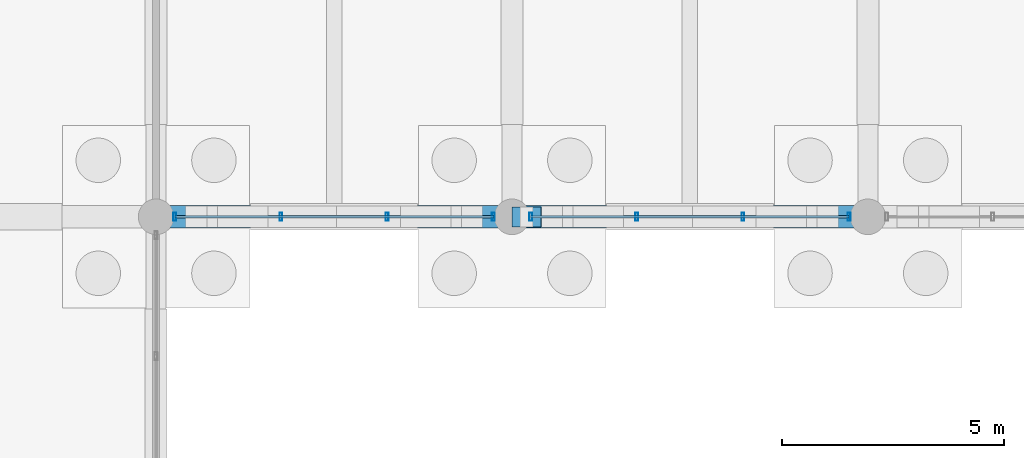
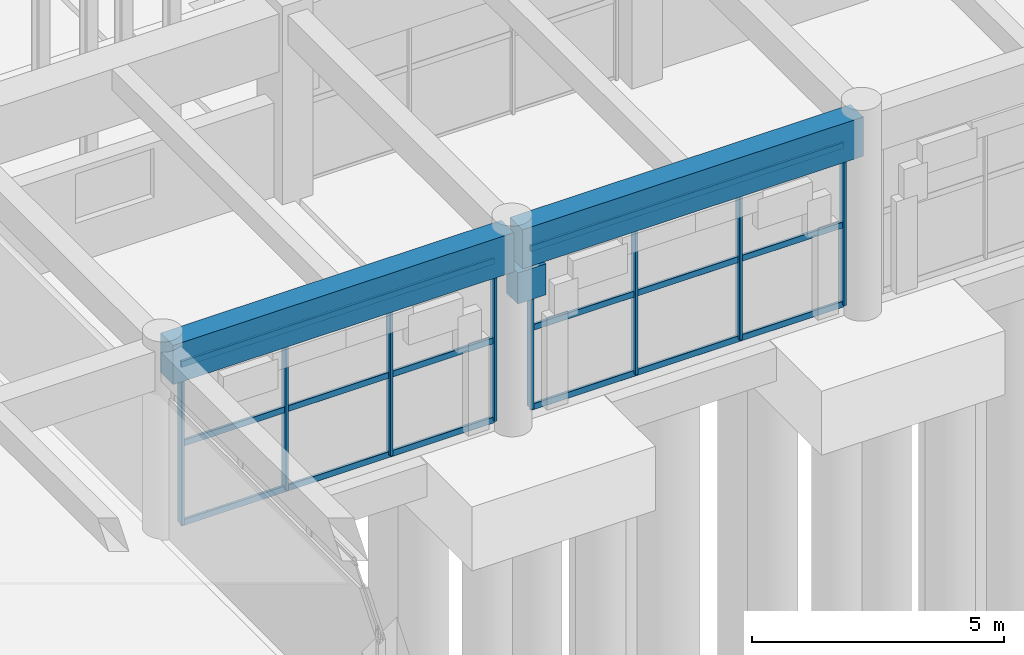
# One storey, part 74 of 147: 14 members, 3 beams, 2 elements without a shape of their own.
"""IFC4 building model written with IfcOpenShell, lengths in metres."""

from ifc_helpers import new_model, si_unit, direction, frame, origin, origin_2d, place, context, subcontext, project, spatial, rectangle, hollow_rectangle, extrude, material, material_profile, profile_set, type_object, element, aggregate, save


model = new_model("IFC4")

# Units and contexts
model_context = context("Model", 3, precision=1e-05, world=origin(), true_north=direction((0.0, 1.0)))
body_context = subcontext(model_context, "Body", "Model", "MODEL_VIEW")
ifc_project = project(units=[si_unit("LENGTHUNIT", "METRE"), si_unit("AREAUNIT", "SQUARE_METRE"), si_unit("VOLUMEUNIT", "CUBIC_METRE"), si_unit("PLANEANGLEUNIT", "RADIAN"), si_unit("MASSUNIT", "GRAM", prefix="KILO")], contexts=[model_context])

# Site, building, storey
site_placement = place(None, origin())
site = spatial("IfcSite", under=ifc_project, at=site_placement, CompositionType="ELEMENT")
building_placement = place(site_placement, origin())
building = spatial("IfcBuilding", under=site, at=building_placement, Name="Varnabhumi Central Station", CompositionType="ELEMENT")
storey_placement = place(building_placement, origin())
storey = spatial("IfcBuildingStorey", under=building, at=storey_placement, Name="L00", CompositionType="ELEMENT", Elevation=0.0)

# Beams
ifc_material_1 = material(Name="Concrete M40", Category="concrete")
ifc_material_profile_1 = material_profile(ifc_material_1, rectangle(XDim=0.449951171875, YDim=0.75, at=origin_2d()), Name="Concrete M40", Category="concrete")
ifc_profile_set_1 = profile_set([ifc_material_profile_1], Name="Concrete M40")
beam_type_1 = type_object("IfcBeamType", Name="BM-RC-450x750", PredefinedType="BEAM", material=ifc_profile_set_1)
beam_placement = place(storey_placement, frame((120.0, 27.0, 3.14501953125), z_axis=(1.0, 0.0, 0.0), x_axis=(0.0, 1.0, 0.0)))
element("IfcBeam", 1, at=beam_placement, inside=storey, type_object=beam_type_1, Name="Movement Joint 650mm Corbel Seat L00-D-16", PredefinedType="BEAM", context=body_context, shape_type="SweptSolid", body=[
    extrude(rectangle(XDim=0.449951171875, YDim=0.75, at=origin_2d()), origin(), (0.0, 0.0, 1.0), 0.64990234375),
])
ifc_material_profile_2 = material_profile(ifc_material_1, rectangle(XDim=0.5, YDim=0.949951171875, at=origin_2d()), Name="Concrete M40", Category="concrete")
ifc_profile_set_2 = profile_set([ifc_material_profile_2], Name="Concrete M40")
beam_type_2 = type_object("IfcBeamType", Name="BM-RC-500x950", PredefinedType="BEAM", material=ifc_profile_set_2)
for number, where, z_axis, x_axis, name in (
    (2, (112.10009765625, 27.0, 4.074951171875), (1.0, 0.0, 0.0), (0.0, 1.0, 0.0), "Beam L00-D:15-16"),
    (3, (120.10009765625, 27.0, 4.074951171875), (1.0, 0.0, 0.0), (0.0, 1.0, 0.0), "Beam L00-D:16-17"),
):
    element("IfcBeam", number, at=place(storey_placement, frame(where, z_axis=z_axis, x_axis=x_axis)), inside=storey, type_object=beam_type_2, Name=name, PredefinedType="BEAM", context=body_context, shape_type="SweptSolid", body=[
        extrude(rectangle(XDim=0.5, YDim=0.949951171875, at=origin_2d()), origin(), (0.0, 0.0, 1.0), 7.7998046875),
    ])

# Curtain wall, members
ifc_material_2 = material(Name="Anodised aluminium 6063-T6", Category="aluminium")
curtain_wall_type = type_object("IfcCurtainWallType", Name="CW-PATIO-LOGGIA-L0", PredefinedType="NOTDEFINED", material=ifc_material_2)
curtain_wall_1_placement = place(storey_placement, origin())
curtain_wall_1 = element("IfcCurtainWall", 4, at=curtain_wall_1_placement, inside=storey, type_object=curtain_wall_type, Name="Curtain Wall CW-SP0N1", PredefinedType="NOTDEFINED")
ifc_material_profile_3 = material_profile(ifc_material_2, hollow_rectangle(XDim=0.06494140625, YDim=0.179931640625, WallThickness=0.00390625, InnerFilletRadius=0.001953125, OuterFilletRadius=0.006103515625, at=origin_2d()), Name="Anodised aluminium 6063-T6", Category="aluminium")
ifc_profile_set_3 = profile_set([ifc_material_profile_3], Name="Anodised aluminium 6063-T6")
member_type_1 = type_object("IfcMemberType", Name="CW-MUL-180", PredefinedType="MULLION", material=ifc_profile_set_3)
member_1_placement = place(storey_placement, frame((112.419921875, 27.0, 0.0), z_axis=(0.0, 0.0, 1.0), x_axis=(1.0, 0.0, 0.0)))
member_1 = element("IfcMember", 5, at=member_1_placement, type_object=member_type_1, Name="Curtain Wall Mullion CW-SP0N1-M1", PredefinedType="MULLION", context=body_context, shape_type="SweptSolid", body=[
    extrude(hollow_rectangle(XDim=0.06494140625, YDim=0.179931640625, WallThickness=0.00390625, InnerFilletRadius=0.001953125, OuterFilletRadius=0.006103515625, at=origin_2d()), origin(), (0.0, 0.0, 1.0), 3.840087890625),
])
member_2_placement = place(storey_placement, frame((114.806640625, 27.0, 0.0), z_axis=(0.0, 0.0, 1.0), x_axis=(1.0, 0.0, 0.0)))
member_2 = element("IfcMember", 6, at=member_2_placement, type_object=member_type_1, Name="Curtain Wall Mullion CW-SP0N1-M2", PredefinedType="MULLION", context=body_context, shape_type="SweptSolid", body=[
    extrude(hollow_rectangle(XDim=0.06494140625, YDim=0.179931640625, WallThickness=0.00390625, InnerFilletRadius=0.001953125, OuterFilletRadius=0.006103515625, at=origin_2d()), origin(), (0.0, 0.0, 1.0), 3.840087890625),
])
member_3_placement = place(storey_placement, frame((117.193359375, 27.0, 0.0), z_axis=(0.0, 0.0, 1.0), x_axis=(1.0, 0.0, 0.0)))
member_3 = element("IfcMember", 7, at=member_3_placement, type_object=member_type_1, Name="Curtain Wall Mullion CW-SP0N1-M3", PredefinedType="MULLION", context=body_context, shape_type="SweptSolid", body=[
    extrude(hollow_rectangle(XDim=0.06494140625, YDim=0.179931640625, WallThickness=0.00390625, InnerFilletRadius=0.001953125, OuterFilletRadius=0.006103515625, at=origin_2d()), origin(), (0.0, 0.0, 1.0), 3.840087890625),
])
member_4_placement = place(storey_placement, frame((119.580078125, 27.0, 0.0), z_axis=(0.0, 0.0, 1.0), x_axis=(1.0, 0.0, 0.0)))
member_4 = element("IfcMember", 8, at=member_4_placement, type_object=member_type_1, Name="Curtain Wall Mullion CW-SP0N1-M4", PredefinedType="MULLION", context=body_context, shape_type="SweptSolid", body=[
    extrude(hollow_rectangle(XDim=0.06494140625, YDim=0.179931640625, WallThickness=0.00390625, InnerFilletRadius=0.001953125, OuterFilletRadius=0.006103515625, at=origin_2d()), origin(), (0.0, 0.0, 1.0), 3.840087890625),
])

curtain_wall_2_placement = place(storey_placement, origin())
curtain_wall_2 = element("IfcCurtainWall", 9, at=curtain_wall_2_placement, inside=storey, type_object=curtain_wall_type, Name="Curtain Wall CW-SP0N2", PredefinedType="NOTDEFINED")
member_5_placement = place(storey_placement, frame((120.419921875, 27.0, 0.0), z_axis=(0.0, 0.0, 1.0), x_axis=(1.0, 0.0, 0.0)))
member_5 = element("IfcMember", 10, at=member_5_placement, type_object=member_type_1, Name="Curtain Wall Mullion CW-SP0N2-M1", PredefinedType="MULLION", context=body_context, shape_type="SweptSolid", body=[
    extrude(hollow_rectangle(XDim=0.06494140625, YDim=0.179931640625, WallThickness=0.00390625, InnerFilletRadius=0.001953125, OuterFilletRadius=0.006103515625, at=origin_2d()), origin(), (0.0, 0.0, 1.0), 3.840087890625),
])
member_6_placement = place(storey_placement, frame((122.806640625, 27.0, 0.0), z_axis=(0.0, 0.0, 1.0), x_axis=(1.0, 0.0, 0.0)))
member_6 = element("IfcMember", 11, at=member_6_placement, type_object=member_type_1, Name="Curtain Wall Mullion CW-SP0N2-M2", PredefinedType="MULLION", context=body_context, shape_type="SweptSolid", body=[
    extrude(hollow_rectangle(XDim=0.06494140625, YDim=0.179931640625, WallThickness=0.00390625, InnerFilletRadius=0.001953125, OuterFilletRadius=0.006103515625, at=origin_2d()), origin(), (0.0, 0.0, 1.0), 3.840087890625),
])
member_7_placement = place(storey_placement, frame((125.193359375, 27.0, 0.0), z_axis=(0.0, 0.0, 1.0), x_axis=(1.0, 0.0, 0.0)))
member_7 = element("IfcMember", 12, at=member_7_placement, type_object=member_type_1, Name="Curtain Wall Mullion CW-SP0N2-M3", PredefinedType="MULLION", context=body_context, shape_type="SweptSolid", body=[
    extrude(hollow_rectangle(XDim=0.06494140625, YDim=0.179931640625, WallThickness=0.00390625, InnerFilletRadius=0.001953125, OuterFilletRadius=0.006103515625, at=origin_2d()), origin(), (0.0, 0.0, 1.0), 3.840087890625),
])
member_8_placement = place(storey_placement, frame((127.580078125, 27.0, 0.0), z_axis=(0.0, 0.0, 1.0), x_axis=(1.0, 0.0, 0.0)))
member_8 = element("IfcMember", 13, at=member_8_placement, type_object=member_type_1, Name="Curtain Wall Mullion CW-SP0N2-M4", PredefinedType="MULLION", context=body_context, shape_type="SweptSolid", body=[
    extrude(hollow_rectangle(XDim=0.06494140625, YDim=0.179931640625, WallThickness=0.00390625, InnerFilletRadius=0.001953125, OuterFilletRadius=0.006103515625, at=origin_2d()), origin(), (0.0, 0.0, 1.0), 3.840087890625),
])

# Member
ifc_material_profile_4 = material_profile(ifc_material_2, hollow_rectangle(XDim=0.06005859375, YDim=0.14990234375, WallThickness=0.00390625, InnerFilletRadius=0.001953125, OuterFilletRadius=0.006103515625, at=origin_2d()), Name="Anodised aluminium 6063-T6", Category="aluminium")
ifc_profile_set_4 = profile_set([ifc_material_profile_4], Name="Anodised aluminium 6063-T6")
member_type_2 = type_object("IfcMemberType", Name="CW-TR-150", PredefinedType="USERDEFINED", material=ifc_profile_set_4)
member_9_placement = place(storey_placement, frame((112.419921875, 27.0, 0.0), z_axis=(1.0, 0.0, 0.0), x_axis=(0.0, 1.0, 0.0)))
member_9 = element("IfcMember", 14, at=member_9_placement, type_object=member_type_2, Name="Curtain Wall Transom CW-SP0N1-T1", ObjectType="TRANSOM", PredefinedType="USERDEFINED", context=body_context, shape_type="SweptSolid", body=[
    extrude(hollow_rectangle(XDim=0.06005859375, YDim=0.14990234375, WallThickness=0.00390625, InnerFilletRadius=0.001953125, OuterFilletRadius=0.006103515625, at=origin_2d()), origin(), (0.0, 0.0, 1.0), 7.16015625),
])

member_10_placement = place(storey_placement, frame((112.419921875, 27.0, 1.919921875), z_axis=(1.0, 0.0, 0.0), x_axis=(0.0, 1.0, 0.0)))
member_10 = element("IfcMember", 15, at=member_10_placement, type_object=member_type_2, Name="Curtain Wall Transom CW-SP0N1-T2", ObjectType="TRANSOM", PredefinedType="USERDEFINED", context=body_context, shape_type="SweptSolid", body=[
    extrude(hollow_rectangle(XDim=0.06005859375, YDim=0.14990234375, WallThickness=0.00390625, InnerFilletRadius=0.001953125, OuterFilletRadius=0.006103515625, at=origin_2d()), origin(), (0.0, 0.0, 1.0), 7.16015625),
])

member_11_placement = place(storey_placement, frame((112.419921875, 27.0, 3.840087890625), z_axis=(1.0, 0.0, 0.0), x_axis=(0.0, 1.0, 0.0)))
member_11 = element("IfcMember", 16, at=member_11_placement, type_object=member_type_2, Name="Curtain Wall Transom CW-SP0N1-T3", ObjectType="TRANSOM", PredefinedType="USERDEFINED", context=body_context, shape_type="SweptSolid", body=[
    extrude(hollow_rectangle(XDim=0.06005859375, YDim=0.14990234375, WallThickness=0.00390625, InnerFilletRadius=0.001953125, OuterFilletRadius=0.006103515625, at=origin_2d()), origin(), (0.0, 0.0, 1.0), 7.16015625),
])

aggregate(curtain_wall_1, [member_1, member_2, member_3, member_4, member_9, member_10, member_11])

member_12_placement = place(storey_placement, frame((120.419921875, 27.0, 0.0), z_axis=(1.0, 0.0, 0.0), x_axis=(0.0, 1.0, 0.0)))
member_12 = element("IfcMember", 17, at=member_12_placement, type_object=member_type_2, Name="Curtain Wall Transom CW-SP0N2-T1", ObjectType="TRANSOM", PredefinedType="USERDEFINED", context=body_context, shape_type="SweptSolid", body=[
    extrude(hollow_rectangle(XDim=0.06005859375, YDim=0.14990234375, WallThickness=0.00390625, InnerFilletRadius=0.001953125, OuterFilletRadius=0.006103515625, at=origin_2d()), origin(), (0.0, 0.0, 1.0), 7.16015625),
])

member_13_placement = place(storey_placement, frame((120.419921875, 27.0, 1.919921875), z_axis=(1.0, 0.0, 0.0), x_axis=(0.0, 1.0, 0.0)))
member_13 = element("IfcMember", 18, at=member_13_placement, type_object=member_type_2, Name="Curtain Wall Transom CW-SP0N2-T2", ObjectType="TRANSOM", PredefinedType="USERDEFINED", context=body_context, shape_type="SweptSolid", body=[
    extrude(hollow_rectangle(XDim=0.06005859375, YDim=0.14990234375, WallThickness=0.00390625, InnerFilletRadius=0.001953125, OuterFilletRadius=0.006103515625, at=origin_2d()), origin(), (0.0, 0.0, 1.0), 7.16015625),
])

member_14_placement = place(storey_placement, frame((120.419921875, 27.0, 3.840087890625), z_axis=(1.0, 0.0, 0.0), x_axis=(0.0, 1.0, 0.0)))
member_14 = element("IfcMember", 19, at=member_14_placement, type_object=member_type_2, Name="Curtain Wall Transom CW-SP0N2-T3", ObjectType="TRANSOM", PredefinedType="USERDEFINED", context=body_context, shape_type="SweptSolid", body=[
    extrude(hollow_rectangle(XDim=0.06005859375, YDim=0.14990234375, WallThickness=0.00390625, InnerFilletRadius=0.001953125, OuterFilletRadius=0.006103515625, at=origin_2d()), origin(), (0.0, 0.0, 1.0), 7.16015625),
])

aggregate(curtain_wall_2, [member_5, member_6, member_7, member_8, member_12, member_13, member_14])

save(model, "model.ifc")
